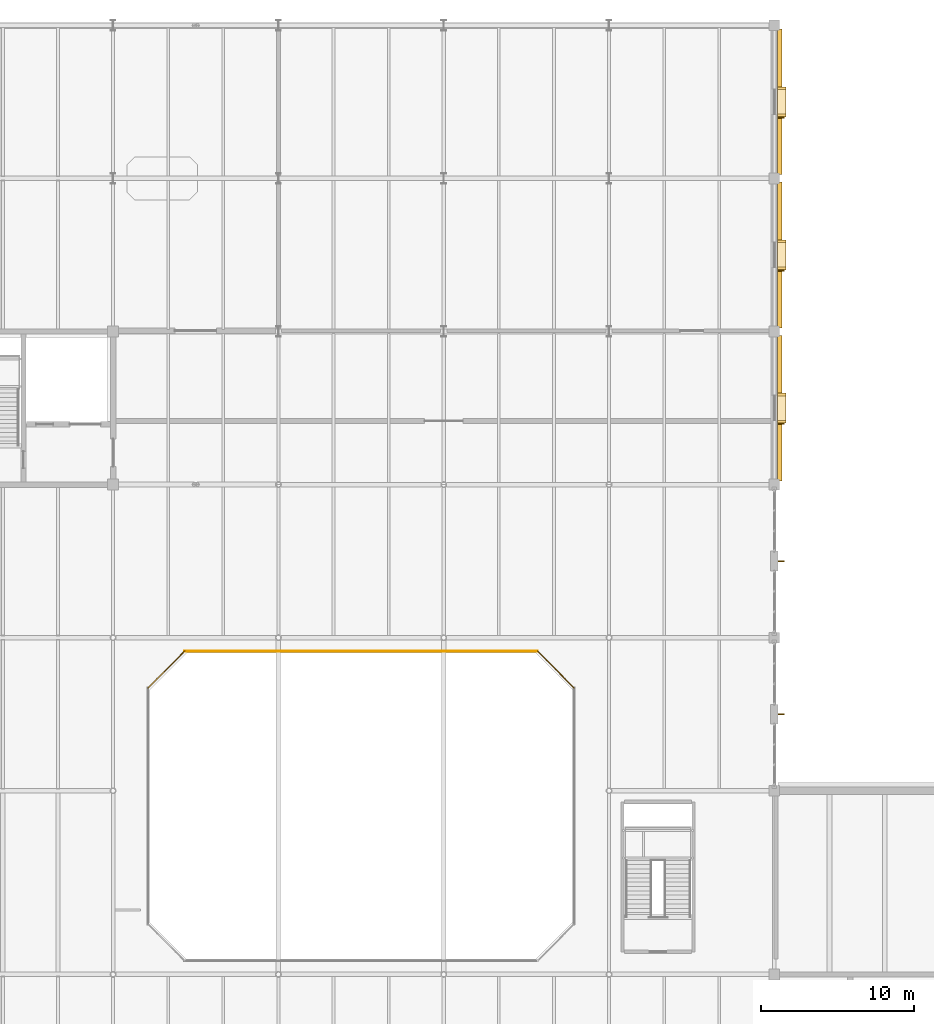
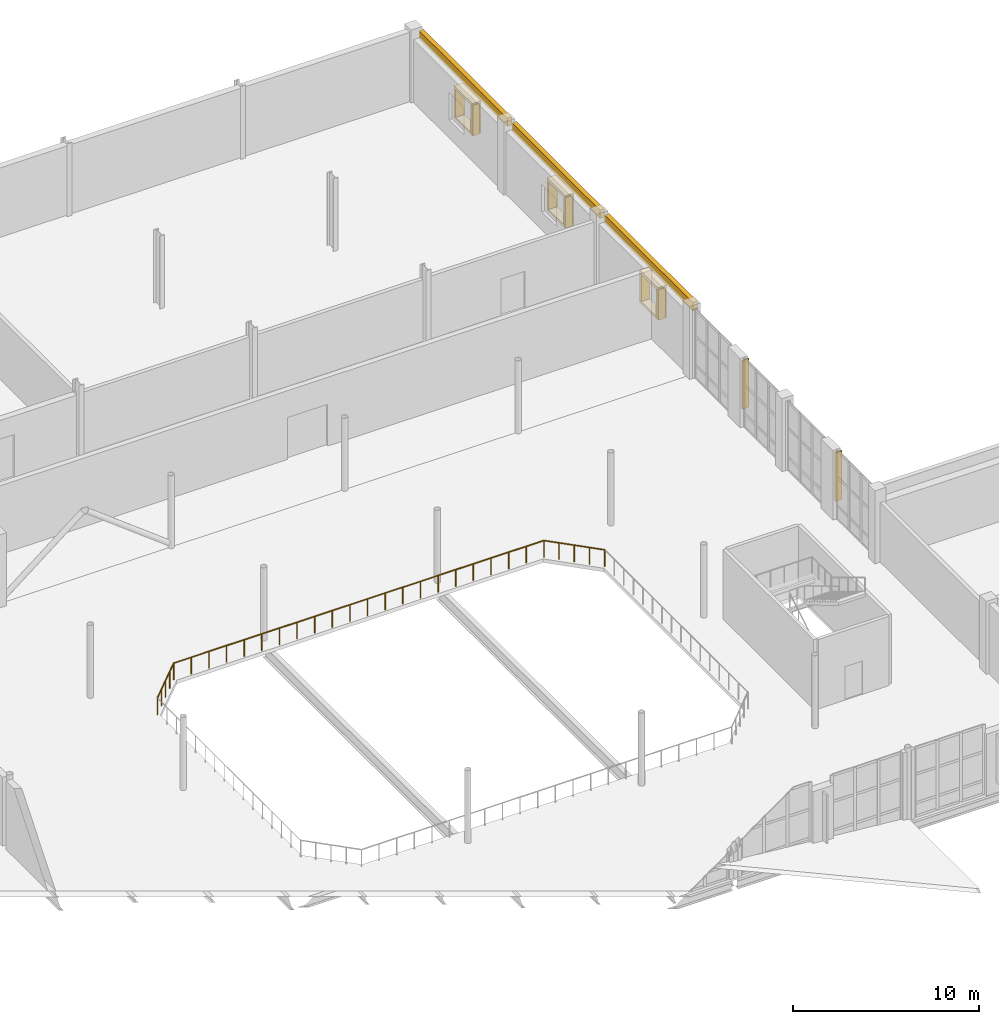
# One storey, part 91 of 92: 15 coverings, 5 shading devices, 3 railings.
"""IFC4 building model written with IfcOpenShell, lengths in metres."""

from ifc_helpers import new_model, si_unit, direction, frame, origin, origin_2d, place, context, subcontext, project, spatial, rectangle, circle, extrude, material, layer, layer_set, type_object, element, save


model = new_model("IFC4")

# Units and contexts
model_context = context("Model", 3, precision=1e-05, world=origin(), true_north=direction((0.0, 1.0)))
body_context = subcontext(model_context, "Body", "Model", "MODEL_VIEW")
ifc_project = project(units=[si_unit("LENGTHUNIT", "METRE"), si_unit("AREAUNIT", "SQUARE_METRE"), si_unit("VOLUMEUNIT", "CUBIC_METRE"), si_unit("PLANEANGLEUNIT", "RADIAN"), si_unit("MASSUNIT", "GRAM", prefix="KILO")], contexts=[model_context])

# Site, building, storey
site_placement = place(None, origin())
site = spatial("IfcSite", under=ifc_project, at=site_placement, CompositionType="ELEMENT")
building_placement = place(site_placement, origin())
building = spatial("IfcBuilding", under=site, at=building_placement, Name="Tasgan Crest Museum", CompositionType="ELEMENT")
storey_placement = place(building_placement, frame((0.0, 0.0, 4.800048828125)))
storey = spatial("IfcBuildingStorey", under=building, at=storey_placement, Name="L01", CompositionType="ELEMENT", Elevation=4.800048828125)

# Coverings
ifc_material_1 = material(Name="Honed Rose-Red Mongolian Granite", Category="masonry")
ifc_layer_1 = layer(ifc_material_1, 0.0400390625, Name="COV-GRANITE-ROSE")
ifc_layer_set_1 = layer_set([ifc_layer_1], Name="Honed Rose-Red Mongolian Granite")
covering_type_1 = type_object("IfcCoveringType", Name="COV-GRANITE-ROSE", PredefinedType="CLADDING", material=ifc_layer_set_1)
for number, where, z_axis, x_axis, name in (
    (1, (108.485107421875, 86.110107421875, 1.19970703125), (0.0, 0.0, 1.0), (0.0, 1.0, 0.0), "Deep window reveal jamb L01-025"),
    (2, (108.485107421875, 87.889892578125, 1.19970703125), (0.0, 0.0, 1.0), (0.0, 1.0, 0.0), "Deep window reveal jamb L01-025"),
    (3, (108.485107421875, 96.110107421875, 1.19970703125), (0.0, 0.0, 1.0), (0.0, 1.0, 0.0), "Deep window reveal jamb L01-026"),
    (4, (108.485107421875, 97.889892578125, 1.19970703125), (0.0, 0.0, 1.0), (0.0, 1.0, 0.0), "Deep window reveal jamb L01-026"),
    (5, (108.485107421875, 106.110107421875, 1.19970703125), (0.0, 0.0, 1.0), (0.0, 1.0, 0.0), "Deep window reveal jamb L01-027"),
    (6, (108.485107421875, 107.889892578125, 1.19970703125), (0.0, 0.0, 1.0), (0.0, 1.0, 0.0), "Deep window reveal jamb L01-027"),
):
    element("IfcCovering", number, at=place(storey_placement, frame(where, z_axis=z_axis, x_axis=x_axis)), inside=storey, type_object=covering_type_1, Name=name, PredefinedType="CLADDING", context=body_context, shape_type="SweptSolid", body=[
        extrude(rectangle(XDim=0.179931640625, YDim=0.550048828125, at=origin_2d()), origin(), (0.0, 0.0, 1.0), 1.800048828125),
    ])
ifc_material_2 = material(Name="Honed Buff Limestone", Category="masonry")
ifc_layer_2 = layer(ifc_material_2, 0.044921875, Name="COV-LIMESTONE-BUFF")
ifc_layer_set_2 = layer_set([ifc_layer_2], Name="Honed Buff Limestone")
covering_type_2 = type_object("IfcCoveringType", Name="COV-LIMESTONE-BUFF", PredefinedType="CLADDING", material=ifc_layer_set_2)
covering_1_placement = place(storey_placement, frame((108.35009765625, 87.0, 3.9599609375), z_axis=(0.0, 0.0, 1.0), x_axis=(0.0, 1.0, 0.0)))
element("IfcCovering", 7, at=covering_1_placement, inside=storey, type_object=covering_type_2, Name="Stone frieze cladding L01", PredefinedType="CLADDING", context=body_context, shape_type="SweptSolid", body=[
    extrude(rectangle(XDim=9.510009765625, YDim=0.280029296875, at=origin_2d()), origin(), (0.0, 0.0, 1.0), 0.550048828125),
])
covering_2_placement = place(storey_placement, frame((108.485107421875, 87.0, 3.0), z_axis=(0.0, 0.0, 1.0), x_axis=(0.0, 1.0, 0.0)))
element("IfcCovering", 8, at=covering_2_placement, inside=storey, type_object=covering_type_2, Name="Deep window hood L01-025", PredefinedType="CLADDING", context=body_context, shape_type="SweptSolid", body=[
    extrude(rectangle(XDim=1.9599609375, YDim=0.550048828125, at=origin_2d()), origin(), (0.0, 0.0, 1.0), 0.179931640625),
])
covering_3_placement = place(storey_placement, frame((108.485107421875, 87.0, 1.06005859375), z_axis=(0.0, 0.0, 1.0), x_axis=(0.0, 1.0, 0.0)))
element("IfcCovering", 9, at=covering_3_placement, inside=storey, type_object=covering_type_2, Name="Deep window sill L01-025", PredefinedType="CLADDING", context=body_context, shape_type="SweptSolid", body=[
    extrude(rectangle(XDim=1.9599609375, YDim=0.550048828125, at=origin_2d()), origin(), (0.0, 0.0, 1.0), 0.139892578125),
])
covering_4_placement = place(storey_placement, frame((108.35009765625, 97.0, 3.9599609375), z_axis=(0.0, 0.0, 1.0), x_axis=(0.0, 1.0, 0.0)))
element("IfcCovering", 10, at=covering_4_placement, inside=storey, type_object=covering_type_2, Name="Stone frieze cladding L01", PredefinedType="CLADDING", context=body_context, shape_type="SweptSolid", body=[
    extrude(rectangle(XDim=9.510009765625, YDim=0.280029296875, at=origin_2d()), origin(), (0.0, 0.0, 1.0), 0.550048828125),
])
covering_5_placement = place(storey_placement, frame((108.485107421875, 97.0, 3.0), z_axis=(0.0, 0.0, 1.0), x_axis=(0.0, 1.0, 0.0)))
element("IfcCovering", 11, at=covering_5_placement, inside=storey, type_object=covering_type_2, Name="Deep window hood L01-026", PredefinedType="CLADDING", context=body_context, shape_type="SweptSolid", body=[
    extrude(rectangle(XDim=1.9599609375, YDim=0.550048828125, at=origin_2d()), origin(), (0.0, 0.0, 1.0), 0.179931640625),
])
covering_6_placement = place(storey_placement, frame((108.485107421875, 97.0, 1.06005859375), z_axis=(0.0, 0.0, 1.0), x_axis=(0.0, 1.0, 0.0)))
element("IfcCovering", 12, at=covering_6_placement, inside=storey, type_object=covering_type_2, Name="Deep window sill L01-026", PredefinedType="CLADDING", context=body_context, shape_type="SweptSolid", body=[
    extrude(rectangle(XDim=1.9599609375, YDim=0.550048828125, at=origin_2d()), origin(), (0.0, 0.0, 1.0), 0.139892578125),
])
covering_7_placement = place(storey_placement, frame((108.35009765625, 107.0, 3.9599609375), z_axis=(0.0, 0.0, 1.0), x_axis=(0.0, 1.0, 0.0)))
element("IfcCovering", 13, at=covering_7_placement, inside=storey, type_object=covering_type_2, Name="Stone frieze cladding L01", PredefinedType="CLADDING", context=body_context, shape_type="SweptSolid", body=[
    extrude(rectangle(XDim=9.510009765625, YDim=0.280029296875, at=origin_2d()), origin(), (0.0, 0.0, 1.0), 0.550048828125),
])
covering_8_placement = place(storey_placement, frame((108.485107421875, 107.0, 3.0), z_axis=(0.0, 0.0, 1.0), x_axis=(0.0, 1.0, 0.0)))
element("IfcCovering", 14, at=covering_8_placement, inside=storey, type_object=covering_type_2, Name="Deep window hood L01-027", PredefinedType="CLADDING", context=body_context, shape_type="SweptSolid", body=[
    extrude(rectangle(XDim=1.9599609375, YDim=0.550048828125, at=origin_2d()), origin(), (0.0, 0.0, 1.0), 0.179931640625),
])
covering_9_placement = place(storey_placement, frame((108.485107421875, 107.0, 1.06005859375), z_axis=(0.0, 0.0, 1.0), x_axis=(0.0, 1.0, 0.0)))
element("IfcCovering", 15, at=covering_9_placement, inside=storey, type_object=covering_type_2, Name="Deep window sill L01-027", PredefinedType="CLADDING", context=body_context, shape_type="SweptSolid", body=[
    extrude(rectangle(XDim=1.9599609375, YDim=0.550048828125, at=origin_2d()), origin(), (0.0, 0.0, 1.0), 0.139892578125),
])

# Railings
ifc_material_3 = material(Name="Brushed Bronze and Toughened Glass", Category="glass")
railing_type = type_object("IfcRailingType", Name="RL-INT-GUARD-1120", PredefinedType="GUARDRAIL", material=ifc_material_3)
railing_1_placement = place(storey_placement, frame((94.919921875, 68.719970703125, 0.0)))
element("IfcRailing", 16, at=railing_1_placement, inside=storey, type_object=railing_type, Name="Atrium void guard L01 3", PredefinedType="GUARDRAIL", context=body_context, shape_type="SweptSolid", body=[
    extrude(circle(Radius=0.02392578125, at=origin_2d()), frame((0.0, 0.0, 1.09619140625), z_axis=(-0.707070815327, 0.707142745217, 0.0), x_axis=(-0.707142745217, -0.707070815327, 0.0)), (0.0, 0.0, 1.0), 3.39404296875),
    extrude(circle(Radius=0.02099609375, at=origin_2d()), origin(), (0.0, 0.0, 1.0), 1.072021484375),
    extrude(circle(Radius=0.02099609375, at=origin_2d()), frame((-0.60009765625, 0.60009765625, 0.0)), (0.0, 0.0, 1.0), 1.072021484375),
    extrude(circle(Radius=0.02099609375, at=origin_2d()), frame((-1.199951171875, 1.2001953125, 0.0)), (0.0, 0.0, 1.0), 1.072021484375),
    extrude(circle(Radius=0.02099609375, at=origin_2d()), frame((-1.7998046875, 1.800048828125, 0.0)), (0.0, 0.0, 1.0), 1.072021484375),
    extrude(circle(Radius=0.02099609375, at=origin_2d()), frame((-2.39990234375, 2.400146484375, 0.0)), (0.0, 0.0, 1.0), 1.072021484375),
])
railing_2_placement = place(storey_placement, frame((92.52001953125, 71.1201171875, 0.0)))
element("IfcRailing", 17, at=railing_2_placement, inside=storey, type_object=railing_type, Name="Atrium void guard L01 4", PredefinedType="GUARDRAIL", context=body_context, shape_type="SweptSolid", body=[
    extrude(circle(Radius=0.02392578125, at=origin_2d()), frame((0.0, 0.0, 1.09619140625), z_axis=(-1.0, 0.0, 0.0), x_axis=(0.0, -1.0, 0.0)), (0.0, 0.0, 1.0), 23.0400390625),
    extrude(circle(Radius=0.02099609375, at=origin_2d()), origin(), (0.0, 0.0, 1.0), 1.072021484375),
    extrude(circle(Radius=0.02099609375, at=origin_2d()), frame((-1.09716796875, 0.0, 0.0)), (0.0, 0.0, 1.0), 1.072021484375),
    extrude(circle(Radius=0.02099609375, at=origin_2d()), frame((-2.1943359375, 0.0, 0.0)), (0.0, 0.0, 1.0), 1.072021484375),
    extrude(circle(Radius=0.02099609375, at=origin_2d()), frame((-3.29150390625, 0.0, 0.0)), (0.0, 0.0, 1.0), 1.072021484375),
    extrude(circle(Radius=0.02099609375, at=origin_2d()), frame((-4.388671875, 0.0, 0.0)), (0.0, 0.0, 1.0), 1.072021484375),
    extrude(circle(Radius=0.02099609375, at=origin_2d()), frame((-5.48583984375, 0.0, 0.0)), (0.0, 0.0, 1.0), 1.072021484375),
    extrude(circle(Radius=0.02099609375, at=origin_2d()), frame((-6.582763671875, 0.0, 0.0)), (0.0, 0.0, 1.0), 1.072021484375),
    extrude(circle(Radius=0.02099609375, at=origin_2d()), frame((-7.679931640625, 0.0, 0.0)), (0.0, 0.0, 1.0), 1.072021484375),
    extrude(circle(Radius=0.02099609375, at=origin_2d()), frame((-8.777099609375, 0.0, 0.0)), (0.0, 0.0, 1.0), 1.072021484375),
    extrude(circle(Radius=0.02099609375, at=origin_2d()), frame((-9.874267578125, 0.0, 0.0)), (0.0, 0.0, 1.0), 1.072021484375),
    extrude(circle(Radius=0.02099609375, at=origin_2d()), frame((-10.971435546875, 0.0, 0.0)), (0.0, 0.0, 1.0), 1.072021484375),
    extrude(circle(Radius=0.02099609375, at=origin_2d()), frame((-12.068603515625, 0.0, 0.0)), (0.0, 0.0, 1.0), 1.072021484375),
    extrude(circle(Radius=0.02099609375, at=origin_2d()), frame((-13.165771484375, 0.0, 0.0)), (0.0, 0.0, 1.0), 1.072021484375),
    extrude(circle(Radius=0.02099609375, at=origin_2d()), frame((-14.262939453125, 0.0, 0.0)), (0.0, 0.0, 1.0), 1.072021484375),
    extrude(circle(Radius=0.02099609375, at=origin_2d()), frame((-15.360107421875, 0.0, 0.0)), (0.0, 0.0, 1.0), 1.072021484375),
    extrude(circle(Radius=0.02099609375, at=origin_2d()), frame((-16.457275390625, 0.0, 0.0)), (0.0, 0.0, 1.0), 1.072021484375),
    extrude(circle(Radius=0.02099609375, at=origin_2d()), frame((-17.55419921875, 0.0, 0.0)), (0.0, 0.0, 1.0), 1.072021484375),
    extrude(circle(Radius=0.02099609375, at=origin_2d()), frame((-18.6513671875, 0.0, 0.0)), (0.0, 0.0, 1.0), 1.072021484375),
    extrude(circle(Radius=0.02099609375, at=origin_2d()), frame((-19.74853515625, 0.0, 0.0)), (0.0, 0.0, 1.0), 1.072021484375),
    extrude(circle(Radius=0.02099609375, at=origin_2d()), frame((-20.845703125, 0.0, 0.0)), (0.0, 0.0, 1.0), 1.072021484375),
    extrude(circle(Radius=0.02099609375, at=origin_2d()), frame((-21.94287109375, 0.0, 0.0)), (0.0, 0.0, 1.0), 1.072021484375),
    extrude(circle(Radius=0.02099609375, at=origin_2d()), frame((-23.0400390625, 0.0, 0.0)), (0.0, 0.0, 1.0), 1.072021484375),
])
railing_3_placement = place(storey_placement, frame((69.47998046875, 71.1201171875, 0.0)))
element("IfcRailing", 18, at=railing_3_placement, inside=storey, type_object=railing_type, Name="Atrium void guard L01 5", PredefinedType="GUARDRAIL", context=body_context, shape_type="SweptSolid", body=[
    extrude(circle(Radius=0.02392578125, at=origin_2d()), frame((0.0, 0.0, 1.09619140625), z_axis=(-0.707070815327, -0.707142745217, 0.0), x_axis=(0.707142745217, -0.707070815327, 0.0)), (0.0, 0.0, 1.0), 3.39404296875),
    extrude(circle(Radius=0.02099609375, at=origin_2d()), origin(), (0.0, 0.0, 1.0), 1.072021484375),
    extrude(circle(Radius=0.02099609375, at=origin_2d()), frame((-0.60009765625, -0.60009765625, 0.0)), (0.0, 0.0, 1.0), 1.072021484375),
    extrude(circle(Radius=0.02099609375, at=origin_2d()), frame((-1.199951171875, -1.2001953125, 0.0)), (0.0, 0.0, 1.0), 1.072021484375),
    extrude(circle(Radius=0.02099609375, at=origin_2d()), frame((-1.7998046875, -1.800048828125, 0.0)), (0.0, 0.0, 1.0), 1.072021484375),
    extrude(circle(Radius=0.02099609375, at=origin_2d()), frame((-2.39990234375, -2.400146484375, 0.0)), (0.0, 0.0, 1.0), 1.072021484375),
])

# Shading devices
ifc_material_4 = material(Name="Anodised Bronze Aluminium", Category="aluminium")
shading_device_type = type_object("IfcShadingDeviceType", Name="SH-FIN-V400", PredefinedType="JALOUSIE", material=ifc_material_4)
for number, where, z_axis, x_axis, name in (
    (19, (108.449951171875, 67.0, 0.68017578125), (0.0, 0.0, 1.0), (0.0, 1.0, 0.0), "Facade pier solar fin L01"),
    (20, (108.449951171875, 77.0, 0.68017578125), (0.0, 0.0, 1.0), (0.0, 1.0, 0.0), "Facade pier solar fin L01"),
):
    element("IfcShadingDevice", number, at=place(storey_placement, frame(where, z_axis=z_axis, x_axis=x_axis)), inside=storey, type_object=shading_device_type, Name=name, PredefinedType="JALOUSIE", context=body_context, shape_type="SweptSolid", body=[
        extrude(rectangle(XDim=0.080078125, YDim=0.419921875, at=origin_2d()), origin(), (0.0, 0.0, 1.0), 3.199951171875),
    ])
for number, where, z_axis, x_axis, name in (
    (21, (108.419921875, 85.97998046875, 1.099853515625), (0.0, 0.0, 1.0), (0.0, 1.0, 0.0), "Solar shading fin L01-025"),
    (22, (108.419921875, 95.97998046875, 1.099853515625), (0.0, 0.0, 1.0), (0.0, 1.0, 0.0), "Solar shading fin L01-026"),
    (23, (108.419921875, 105.97998046875, 1.099853515625), (0.0, 0.0, 1.0), (0.0, 1.0, 0.0), "Solar shading fin L01-027"),
):
    element("IfcShadingDevice", number, at=place(storey_placement, frame(where, z_axis=z_axis, x_axis=x_axis)), inside=storey, type_object=shading_device_type, Name=name, PredefinedType="JALOUSIE", context=body_context, shape_type="SweptSolid", body=[
        extrude(rectangle(XDim=0.080078125, YDim=0.419921875, at=origin_2d()), origin(), (0.0, 0.0, 1.0), 2.0),
    ])

save(model, "model.ifc")
